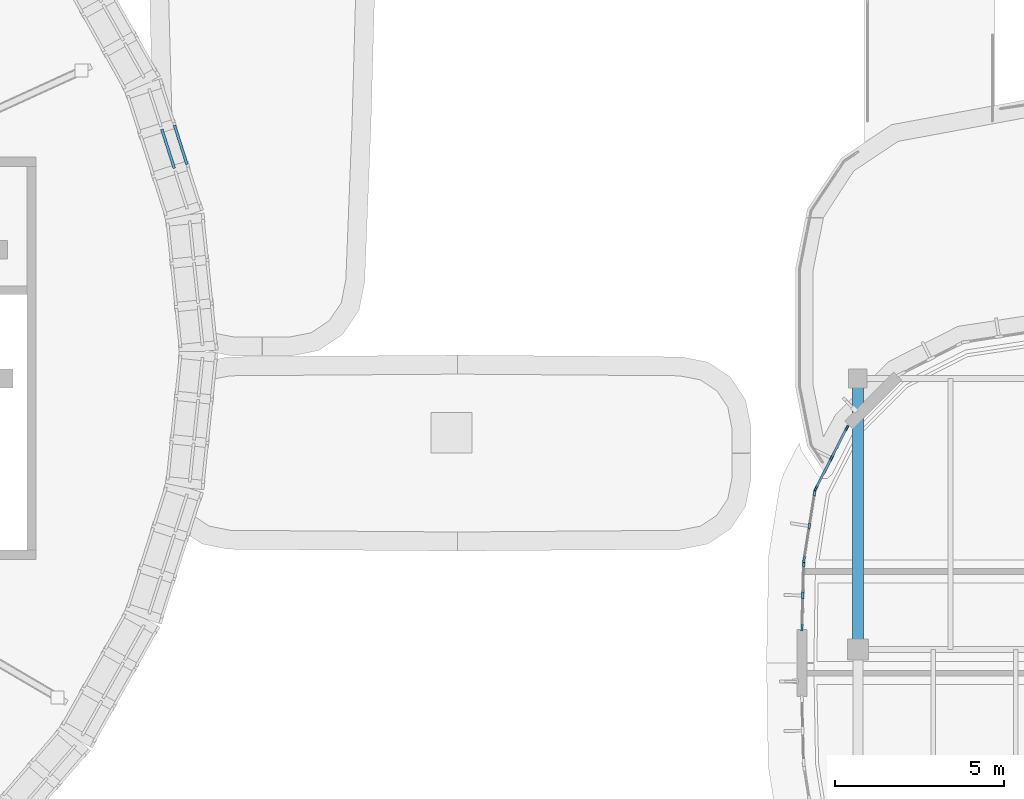
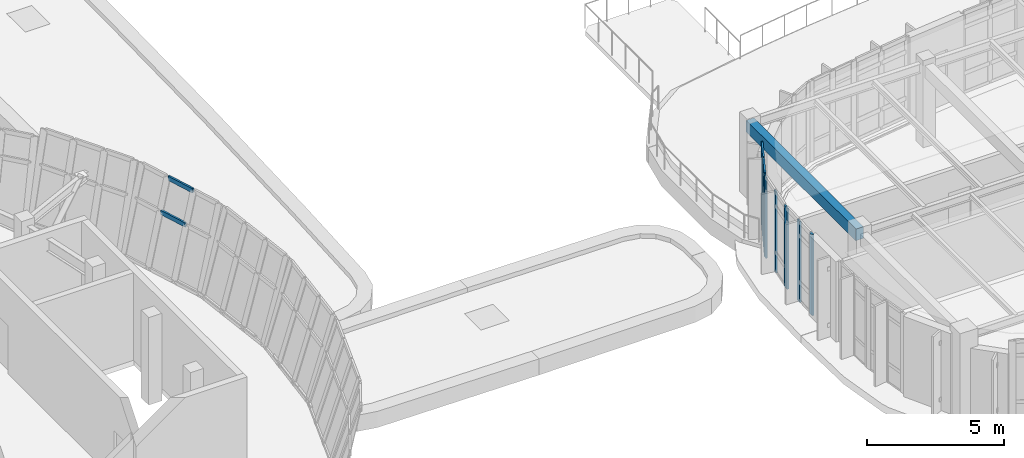
# One storey, part 23 of 111: 19 members, 1 beam, 4 elements without a shape of their own.
"""IFC4 building model written with IfcOpenShell, lengths in metres."""

import ifcopenshell
import ifcopenshell.guid

model = None  # the IFC model being written
_history = None  # IfcOwnerHistory: only IFC2X3 demands one
_inside = {}  # id of a spatial element -> (the spatial element, [elements in it])
_under = {}  # id of a project, library or spatial element -> (it, [spatial elements below it])
_declared = {}  # id of a project -> (the project, [libraries it declares])
_typed = {}  # id of a type object -> (the type object, [elements of that type])
_made_of = {}  # id of a material, layer set ... -> (it, [elements and type objects made of it])


def new_model(schema):
    """Start an empty IFC model of exactly this schema.

    Asked for "IFC4X3", IfcOpenShell would pick the latest addendum, in which some entities
    have other attributes; the version numbers below select the first issue.
    IFC2X3 requires an IfcOwnerHistory on every rooted entity: one is made here for all.
    """
    global model, _history
    if schema == "IFC4X3":
        model = ifcopenshell.file(schema_version=(4, 3, 0, 0))
    else:
        model = ifcopenshell.file(schema=schema)
    _inside.clear()
    _under.clear()
    _declared.clear()
    _typed.clear()
    _made_of.clear()
    _history = None
    if model.schema == "IFC2X3":
        org = make("IfcOrganization", Name="unknown")
        user = make(
            "IfcPersonAndOrganization",
            ThePerson=make("IfcPerson", FamilyName="unknown"),
            TheOrganization=org,
        )
        app = make(
            "IfcApplication",
            ApplicationDeveloper=org,
            Version="unknown",
            ApplicationFullName="unknown",
            ApplicationIdentifier="unknown",
        )
        _history = make(
            "IfcOwnerHistory",
            OwningUser=user,
            OwningApplication=app,
            ChangeAction="ADDED",
            CreationDate=0,
        )
    return model


def make(cls, **values):
    """One entity of the class cls with the attributes given. An attribute that is None is left unset."""
    return model.create_entity(
        cls, **{name: value for name, value in values.items() if value is not None}
    )


def rooted(cls, **values):
    """An entity with a GlobalId (a new one), such as an element, a storey or a relation."""
    return make(cls, GlobalId=ifcopenshell.guid.new(), OwnerHistory=_history, **values)


def si_unit(unit_type, name, prefix=None):
    """IfcSIUnit, for example si_unit("LENGTHUNIT", "METRE", prefix="MILLI")."""
    return make("IfcSIUnit", UnitType=unit_type, Prefix=prefix, Name=name)


def assignment(units):
    """IfcUnitAssignment: the units of a project."""
    return None if units is None else make("IfcUnitAssignment", Units=units)


def point(xyz):
    """IfcCartesianPoint."""
    return None if xyz is None else make("IfcCartesianPoint", Coordinates=xyz)


def direction(xyz):
    """IfcDirection."""
    return None if xyz is None else make("IfcDirection", DirectionRatios=xyz)


def frame(location, z_axis=None, x_axis=None):
    """IfcAxis2Placement3D, a coordinate frame: its origin and axes. An axis left out is left unset."""
    return make(
        "IfcAxis2Placement3D",
        Location=point(location),
        Axis=direction(z_axis),
        RefDirection=direction(x_axis),
    )


def frame_2d(location, x_axis=None):
    """IfcAxis2Placement2D, a coordinate frame in the plane: its origin and x axis."""
    return make(
        "IfcAxis2Placement2D", Location=point(location), RefDirection=direction(x_axis)
    )


def origin():
    """The frame at (0, 0, 0) with its axes left unset."""
    return frame((0.0, 0.0, 0.0))


def origin_2d():
    """The frame at (0, 0) in the plane with its x axis left unset."""
    return frame_2d((0.0, 0.0))


def place(relative_to, where):
    """IfcLocalPlacement: puts the frame where relative to a parent placement (None: the world)."""
    return make(
        "IfcLocalPlacement", PlacementRelTo=relative_to, RelativePlacement=where
    )


def context(
    kind, dimensions, precision=None, world=None, true_north=None, identifier=None
):
    """IfcGeometricRepresentationContext, for example the 3D "Model" context."""
    return make(
        "IfcGeometricRepresentationContext",
        ContextIdentifier=identifier,
        ContextType=kind,
        CoordinateSpaceDimension=dimensions,
        Precision=precision,
        WorldCoordinateSystem=world,
        TrueNorth=true_north,
    )


def subcontext(parent, identifier, kind, view, scale=None):
    """IfcGeometricRepresentationSubContext, for example "Body" below "Model"."""
    return make(
        "IfcGeometricRepresentationSubContext",
        ContextIdentifier=identifier,
        ContextType=kind,
        ParentContext=parent,
        TargetScale=scale,
        TargetView=view,
    )


def project(units=None, contexts=None):
    """IfcProject with its units and contexts."""
    return rooted(
        "IfcProject",
        Name="project",
        RepresentationContexts=contexts,
        UnitsInContext=assignment(units),
    )


def spatial(cls, under=None, at=None, **own):
    """A site, building, storey or space (cls), placed at a placement, below another one or the project."""
    s = rooted(cls, ObjectPlacement=at, **own)
    if under is not None:
        _under.setdefault(under.id(), (under, []))[1].append(s)
    return s


def profile(cls, at=None, kind="AREA", **sizes):
    """A parametric profile (cls). Its sizes go by their IFC names, for example OverallWidth=200.0."""
    return make(cls, ProfileType=kind, Position=at, **sizes)


def rectangle(**sizes):
    """IfcRectangleProfileDef."""
    return profile("IfcRectangleProfileDef", **sizes)


def extrude(swept, where, along, depth):
    """IfcExtrudedAreaSolid: the profile swept, set in the frame where, extruded along a direction by depth."""
    return make(
        "IfcExtrudedAreaSolid",
        SweptArea=swept,
        Position=where,
        ExtrudedDirection=direction(along),
        Depth=depth,
    )


def shape(context_of_items, identifier, shape_type, items):
    """IfcShapeRepresentation: the items that make up one representation, for example the "Body"."""
    return make(
        "IfcShapeRepresentation",
        ContextOfItems=context_of_items,
        RepresentationIdentifier=identifier,
        RepresentationType=shape_type,
        Items=items,
    )


def material(Name=None, Category=None):
    """IfcMaterial."""
    return make("IfcMaterial", Name=Name, Category=Category)


def material_profile(
    of_material, cross_section, Name=None, Category=None, Priority=None
):
    """IfcMaterialProfile: a cross section and its material."""
    return make(
        "IfcMaterialProfile",
        Name=Name,
        Material=of_material,
        Profile=cross_section,
        Priority=Priority,
        Category=Category,
    )


def profile_set(profiles, Name=None, composite=None):
    """IfcMaterialProfileSet."""
    return make(
        "IfcMaterialProfileSet",
        Name=Name,
        MaterialProfiles=profiles,
        CompositeProfile=composite,
    )


def made_of(thing, what):
    """Note that an element or type object is made of a material, layer set ...; save() writes the relation."""
    if what is not None:
        _made_of.setdefault(what.id(), (what, []))[1].append(thing)
    return thing


def type_object(cls, material=None, **own):
    """A type object (cls), such as IfcWallType, which elements share."""
    return made_of(rooted(cls, **own), material)


def element(
    cls,
    number,
    at=None,
    inside=None,
    cuts=None,
    type_object=None,
    material=None,
    context=None,
    identifier="Body",
    shape_type=None,
    held_by="IfcProductDefinitionShape",
    body=None,
    shapes=None,
    **own,
):
    """One element of the class cls, such as IfcWall. Its Tag is "e" and its number.

    at: its placement. inside: the storey or other place that contains it. cuts: it is an
    opening in that element (IfcRelVoidsElement). A single representation is given by context,
    identifier, shape_type and body (its items); several are given by shapes. held_by: the class
    of the entity that holds the representations. save() writes the other relations.
    """
    e = rooted(cls, Tag="e%d" % number, ObjectPlacement=at, **own)
    if body is not None:
        shapes = [shape(context, identifier, shape_type, body)]
    if shapes is not None:
        e.Representation = make(held_by, Representations=shapes)
    if inside is not None:
        _inside.setdefault(inside.id(), (inside, []))[1].append(e)
    if cuts is not None:
        rooted(
            "IfcRelVoidsElement", RelatingBuildingElement=cuts, RelatedOpeningElement=e
        )
    if type_object is not None:
        _typed.setdefault(type_object.id(), (type_object, []))[1].append(e)
    return made_of(e, material)


def aggregate(whole, parts):
    """IfcRelAggregates: a whole, such as a stair, and the parts it consists of."""
    return rooted("IfcRelAggregates", RelatingObject=whole, RelatedObjects=parts)


def save(model, path):
    """Write the relations noted so far, then the file.

    IfcRelAggregates (storeys below a building ...), IfcRelContainedInSpatialStructure (elements
    in a storey), IfcRelDefinesByType, IfcRelAssociatesMaterial and IfcRelDeclares: one each for
    every whole, place, type object, material and project.
    """
    for whole, parts in _under.values():
        aggregate(whole, parts)
    for where, things in _inside.values():
        rooted(
            "IfcRelContainedInSpatialStructure",
            RelatedElements=things,
            RelatingStructure=where,
        )
    for kind, things in _typed.values():
        rooted("IfcRelDefinesByType", RelatedObjects=things, RelatingType=kind)
    for what, things in _made_of.values():
        rooted("IfcRelAssociatesMaterial", RelatedObjects=things, RelatingMaterial=what)
    for by, libraries in _declared.values():
        rooted("IfcRelDeclares", RelatingContext=by, RelatedDefinitions=libraries)
    model.write(path)


model = new_model("IFC4")

# Units and contexts
model_context = context("Model", 3, precision=1e-05, world=origin(), true_north=direction((0.0, 1.0)))
body_context = subcontext(model_context, "Body", "Model", "MODEL_VIEW")
ifc_project = project(units=[si_unit("LENGTHUNIT", "METRE"), si_unit("AREAUNIT", "SQUARE_METRE"), si_unit("VOLUMEUNIT", "CUBIC_METRE"), si_unit("PLANEANGLEUNIT", "RADIAN"), si_unit("MASSUNIT", "GRAM", prefix="KILO")], contexts=[model_context])

# Site, building, storey
site_placement = place(None, origin())
site = spatial("IfcSite", under=ifc_project, at=site_placement, CompositionType="ELEMENT")
building_placement = place(site_placement, origin())
building = spatial("IfcBuilding", under=site, at=building_placement, Name="Corveleigh Park Community Centre", CompositionType="ELEMENT")
storey_placement = place(building_placement, frame((0.0, 0.0, 4.800048828125)))
storey = spatial("IfcBuildingStorey", under=building, at=storey_placement, Name="L01", CompositionType="ELEMENT", Elevation=4.800048828125)

# Beam
ifc_material_1 = material(Name="Concrete C40/50", Category="concrete")
ifc_material_profile_1 = material_profile(ifc_material_1, rectangle(XDim=0.324951171875, YDim=0.52490234375, at=origin_2d()), Name="RC-325x525", Category="concrete")
ifc_profile_set_1 = profile_set([ifc_material_profile_1], Name="Concrete C40/50")
beam_type = type_object("IfcBeamType", Name="BM-RC-325x525", PredefinedType="BEAM", material=ifc_profile_set_1)
beam_placement = place(storey_placement, frame((72.0, 18.804931640625, 3.39453125), z_axis=(0.0, 1.0, 0.0), x_axis=(-1.0, 0.0, 0.0)))
element("IfcBeam", 1, at=beam_placement, inside=storey, type_object=beam_type, Name="V3 Girder Y", PredefinedType="BEAM", context=body_context, shape_type="SweptSolid", body=[
    extrude(rectangle(XDim=0.324951171875, YDim=0.52490234375, at=origin_2d()), origin(), (0.0, 0.0, 1.0), 7.989990234375),
])

# Curtain wall, members
ifc_material_2 = material(Name="Anodised aluminium 6063-T6", Category="aluminium")
curtain_wall_type_1 = type_object("IfcCurtainWallType", Name="CW-SYS-V3-UPP", PredefinedType="NOTDEFINED", material=ifc_material_2)
curtain_wall_1_placement = place(storey_placement, origin())
curtain_wall_1 = element("IfcCurtainWall", 2, at=curtain_wall_1_placement, inside=storey, type_object=curtain_wall_type_1, Name="V3 L01 Curtain Wall 253", PredefinedType="NOTDEFINED")
ifc_material_profile_2 = material_profile(ifc_material_2, rectangle(XDim=0.06005859375, YDim=0.159912109375, at=origin_2d()), Name="ALU-M60x160", Category="aluminium")
ifc_profile_set_2 = profile_set([ifc_material_profile_2], Name="Anodised aluminium 6063-T6")
member_type_1 = type_object("IfcMemberType", Name="CWM-60x160", PredefinedType="MULLION", material=ifc_profile_set_2)
member_1_placement = place(storey_placement, frame((70.763671875, 23.561767578125, 0.0), z_axis=(0.0, 0.0, 1.0), x_axis=(-0.890890679418, 0.454217786228, 0.0)))
member_1 = element("IfcMember", 3, at=member_1_placement, type_object=member_type_1, Name="CW06 mullion 1", PredefinedType="MULLION", context=body_context, shape_type="SweptSolid", body=[
    extrude(rectangle(XDim=0.06005859375, YDim=0.159912109375, at=origin_2d()), origin(), (0.0, 0.0, 1.0), 3.612060546875),
])
member_2_placement = place(storey_placement, frame((71.216064453125, 24.448974609375, 0.0), z_axis=(0.0, 0.0, 1.0), x_axis=(-0.890890679418, 0.454217786228, 0.0)))
member_2 = element("IfcMember", 4, at=member_2_placement, type_object=member_type_1, Name="CW06 mullion 2", PredefinedType="MULLION", context=body_context, shape_type="SweptSolid", body=[
    extrude(rectangle(XDim=0.06005859375, YDim=0.159912109375, at=origin_2d()), origin(), (0.0, 0.0, 1.0), 3.612060546875),
])
member_3_placement = place(storey_placement, frame((71.66845703125, 25.336181640625, 0.0), z_axis=(0.0, 0.0, 1.0), x_axis=(-0.890890679418, 0.454217786228, 0.0)))
member_3 = element("IfcMember", 5, at=member_3_placement, type_object=member_type_1, Name="CW06 mullion 3", PredefinedType="MULLION", context=body_context, shape_type="SweptSolid", body=[
    extrude(rectangle(XDim=0.06005859375, YDim=0.159912109375, at=origin_2d()), origin(), (0.0, 0.0, 1.0), 3.612060546875),
])

curtain_wall_2_placement = place(storey_placement, origin())
curtain_wall_2 = element("IfcCurtainWall", 6, at=curtain_wall_2_placement, inside=storey, type_object=curtain_wall_type_1, Name="V3 L01 Curtain Wall 254", PredefinedType="NOTDEFINED")
ifc_material_profile_3 = material_profile(ifc_material_2, rectangle(XDim=0.06494140625, YDim=0.179931640625, at=origin_2d()), Name="ALU-M65x180", Category="aluminium")
ifc_profile_set_3 = profile_set([ifc_material_profile_3], Name="Anodised aluminium 6063-T6")
member_type_2 = type_object("IfcMemberType", Name="CWM-65x180", PredefinedType="MULLION", material=ifc_profile_set_3)
member_4_placement = place(storey_placement, frame((70.408203125, 21.451171875, 0.0), z_axis=(0.0, 0.0, 1.0), x_axis=(-0.987668756947, 0.156558061275, 0.0)))
member_4 = element("IfcMember", 7, at=member_4_placement, type_object=member_type_2, Name="CW06 mullion 1", PredefinedType="MULLION", context=body_context, shape_type="SweptSolid", body=[
    extrude(rectangle(XDim=0.06494140625, YDim=0.179931640625, at=origin_2d()), origin(), (0.0, 0.0, 1.0), 3.612060546875),
])
member_5_placement = place(storey_placement, frame((70.56494140625, 22.44091796875, 0.0), z_axis=(0.0, 0.0, 1.0), x_axis=(-0.987668756947, 0.156558061275, 0.0)))
member_5 = element("IfcMember", 8, at=member_5_placement, type_object=member_type_2, Name="CW06 mullion 2", PredefinedType="MULLION", context=body_context, shape_type="SweptSolid", body=[
    extrude(rectangle(XDim=0.06494140625, YDim=0.179931640625, at=origin_2d()), origin(), (0.0, 0.0, 1.0), 3.612060546875),
])
member_6_placement = place(storey_placement, frame((70.721923828125, 23.430908203125, 0.0), z_axis=(0.0, 0.0, 1.0), x_axis=(-0.987668756947, 0.156558061275, 0.0)))
member_6 = element("IfcMember", 9, at=member_6_placement, type_object=member_type_2, Name="CW06 mullion 3", PredefinedType="MULLION", context=body_context, shape_type="SweptSolid", body=[
    extrude(rectangle(XDim=0.06494140625, YDim=0.179931640625, at=origin_2d()), origin(), (0.0, 0.0, 1.0), 3.612060546875),
])
aggregate(curtain_wall_2, [member_4, member_5, member_6])

curtain_wall_3_placement = place(storey_placement, origin())
curtain_wall_3 = element("IfcCurtainWall", 10, at=curtain_wall_3_placement, inside=storey, type_object=curtain_wall_type_1, Name="V3 L01 Curtain Wall 255", PredefinedType="NOTDEFINED")
ifc_material_profile_4 = material_profile(ifc_material_2, rectangle(XDim=0.070068359375, YDim=0.199951171875, at=origin_2d()), Name="ALU-M70x200", Category="aluminium")
ifc_profile_set_4 = profile_set([ifc_material_profile_4], Name="Anodised aluminium 6063-T6")
member_type_3 = type_object("IfcMemberType", Name="CWM-70x200", PredefinedType="MULLION", material=ifc_profile_set_4)
member_7_placement = place(storey_placement, frame((70.348876953125, 19.444091796875, 0.0), z_axis=(0.0, 0.0, 1.0), x_axis=(-0.999652514683, 0.026360005464, 0.0)))
member_7 = element("IfcMember", 11, at=member_7_placement, type_object=member_type_3, Name="CW06 mullion 1", PredefinedType="MULLION", context=body_context, shape_type="SweptSolid", body=[
    extrude(rectangle(XDim=0.070068359375, YDim=0.199951171875, at=origin_2d()), origin(), (0.0, 0.0, 1.0), 3.612060546875),
])
member_8_placement = place(storey_placement, frame((70.3740234375, 20.39501953125, 0.0), z_axis=(0.0, 0.0, 1.0), x_axis=(-0.999652514683, 0.026360005464, 0.0)))
member_8 = element("IfcMember", 12, at=member_8_placement, type_object=member_type_3, Name="CW06 mullion 2", PredefinedType="MULLION", context=body_context, shape_type="SweptSolid", body=[
    extrude(rectangle(XDim=0.070068359375, YDim=0.199951171875, at=origin_2d()), origin(), (0.0, 0.0, 1.0), 3.612060546875),
])
member_9_placement = place(storey_placement, frame((70.399169921875, 21.345947265625, 0.0), z_axis=(0.0, 0.0, 1.0), x_axis=(-0.999652514683, 0.026360005464, 0.0)))
member_9 = element("IfcMember", 13, at=member_9_placement, type_object=member_type_3, Name="CW06 mullion 3", PredefinedType="MULLION", context=body_context, shape_type="SweptSolid", body=[
    extrude(rectangle(XDim=0.070068359375, YDim=0.199951171875, at=origin_2d()), origin(), (0.0, 0.0, 1.0), 3.612060546875),
])
aggregate(curtain_wall_3, [member_7, member_8, member_9])

# Member
ifc_material_profile_5 = material_profile(ifc_material_2, rectangle(XDim=0.070068359375, YDim=0.155029296875, at=origin_2d()), Name="ALU-T70x155", Category="aluminium")
ifc_profile_set_5 = profile_set([ifc_material_profile_5], Name="Anodised aluminium 6063-T6")
member_type_4 = type_object("IfcMemberType", Name="CWT-70x155", PredefinedType="USERDEFINED", material=ifc_profile_set_5)
member_10_placement = place(storey_placement, frame((70.77734375, 23.58837890625, 0.034912109375), z_axis=(0.454085966224, 0.890957875142, 0.0), x_axis=(-0.890957875142, 0.454085966224, 0.0)))
member_10 = element("IfcMember", 14, at=member_10_placement, type_object=member_type_4, Name="CW06 transom 1.1", ObjectType="TRANSOM", PredefinedType="USERDEFINED", context=body_context, shape_type="SweptSolid", body=[
    extrude(rectangle(XDim=0.070068359375, YDim=0.155029296875, at=origin_2d()), origin(), (0.0, 0.0, 1.0), 0.93603515625),
])

member_11_placement = place(storey_placement, frame((70.77734375, 23.58837890625, 0.89990234375), z_axis=(0.454085966224, 0.890957875142, 0.0), x_axis=(-0.890957875142, 0.454085966224, 0.0)))
member_11 = element("IfcMember", 15, at=member_11_placement, type_object=member_type_4, Name="CW06 transom 1.2", ObjectType="TRANSOM", PredefinedType="USERDEFINED", context=body_context, shape_type="SweptSolid", body=[
    extrude(rectangle(XDim=0.070068359375, YDim=0.155029296875, at=origin_2d()), origin(), (0.0, 0.0, 1.0), 0.93603515625),
])

member_12_placement = place(storey_placement, frame((70.77734375, 23.58837890625, 2.9619140625), z_axis=(0.454085966224, 0.890957875142, 0.0), x_axis=(-0.890957875142, 0.454085966224, 0.0)))
member_12 = element("IfcMember", 16, at=member_12_placement, type_object=member_type_4, Name="CW06 transom 1.3", ObjectType="TRANSOM", PredefinedType="USERDEFINED", context=body_context, shape_type="SweptSolid", body=[
    extrude(rectangle(XDim=0.070068359375, YDim=0.155029296875, at=origin_2d()), origin(), (0.0, 0.0, 1.0), 0.93603515625),
])

member_13_placement = place(storey_placement, frame((70.77734375, 23.58837890625, 3.576904296875), z_axis=(0.454085966224, 0.890957875142, 0.0), x_axis=(-0.890957875142, 0.454085966224, 0.0)))
member_13 = element("IfcMember", 17, at=member_13_placement, type_object=member_type_4, Name="CW06 transom 1.4", ObjectType="TRANSOM", PredefinedType="USERDEFINED", context=body_context, shape_type="SweptSolid", body=[
    extrude(rectangle(XDim=0.070068359375, YDim=0.155029296875, at=origin_2d()), origin(), (0.0, 0.0, 1.0), 0.93603515625),
])

member_14_placement = place(storey_placement, frame((71.229736328125, 24.475830078125, 0.034912109375), z_axis=(0.45419150751, 0.890904077051, 0.0), x_axis=(-0.890904077051, 0.45419150751, 0.0)))
member_14 = element("IfcMember", 18, at=member_14_placement, type_object=member_type_4, Name="CW06 transom 2.1", ObjectType="TRANSOM", PredefinedType="USERDEFINED", context=body_context, shape_type="SweptSolid", body=[
    extrude(rectangle(XDim=0.070068359375, YDim=0.155029296875, at=origin_2d()), origin(), (0.0, 0.0, 1.0), 0.935791015625),
])

member_15_placement = place(storey_placement, frame((71.229736328125, 24.475830078125, 0.89990234375), z_axis=(0.45419150751, 0.890904077051, 0.0), x_axis=(-0.890904077051, 0.45419150751, 0.0)))
member_15 = element("IfcMember", 19, at=member_15_placement, type_object=member_type_4, Name="CW06 transom 2.2", ObjectType="TRANSOM", PredefinedType="USERDEFINED", context=body_context, shape_type="SweptSolid", body=[
    extrude(rectangle(XDim=0.070068359375, YDim=0.155029296875, at=origin_2d()), origin(), (0.0, 0.0, 1.0), 0.935791015625),
])

member_16_placement = place(storey_placement, frame((71.229736328125, 24.475830078125, 2.9619140625), z_axis=(0.45419150751, 0.890904077051, 0.0), x_axis=(-0.890904077051, 0.45419150751, 0.0)))
member_16 = element("IfcMember", 20, at=member_16_placement, type_object=member_type_4, Name="CW06 transom 2.3", ObjectType="TRANSOM", PredefinedType="USERDEFINED", context=body_context, shape_type="SweptSolid", body=[
    extrude(rectangle(XDim=0.070068359375, YDim=0.155029296875, at=origin_2d()), origin(), (0.0, 0.0, 1.0), 0.935791015625),
])

member_17_placement = place(storey_placement, frame((71.229736328125, 24.475830078125, 3.576904296875), z_axis=(0.45419150751, 0.890904077051, 0.0), x_axis=(-0.890904077051, 0.45419150751, 0.0)))
member_17 = element("IfcMember", 21, at=member_17_placement, type_object=member_type_4, Name="CW06 transom 2.4", ObjectType="TRANSOM", PredefinedType="USERDEFINED", context=body_context, shape_type="SweptSolid", body=[
    extrude(rectangle(XDim=0.070068359375, YDim=0.155029296875, at=origin_2d()), origin(), (0.0, 0.0, 1.0), 0.935791015625),
])

aggregate(curtain_wall_1, [member_1, member_2, member_3, member_10, member_11, member_12, member_13, member_14, member_15, member_16, member_17])

# Curtain wall, members
curtain_wall_type_2 = type_object("IfcCurtainWallType", Name="CW-SYS-V1-DRUM", PredefinedType="NOTDEFINED", material=ifc_material_2)
curtain_wall_4_placement = place(storey_placement, origin())
curtain_wall_4 = element("IfcCurtainWall", 22, at=curtain_wall_4_placement, inside=storey, type_object=curtain_wall_type_2, Name="Main Hall Flared Drum CW 163", PredefinedType="NOTDEFINED")
ifc_material_profile_6 = material_profile(ifc_material_2, rectangle(XDim=0.080078125, YDim=0.195068359375, at=origin_2d()), Name="ALU-T80x195", Category="aluminium")
ifc_profile_set_6 = profile_set([ifc_material_profile_6], Name="Anodised aluminium 6063-T6")
member_type_5 = type_object("IfcMemberType", Name="CWT-80x195", PredefinedType="USERDEFINED", material=ifc_profile_set_6)
member_18_placement = place(storey_placement, frame((51.817138671875, 33.00439453125, 2.25), z_axis=(-0.303486826379, 0.952835634417, 0.0), x_axis=(-0.952835634417, -0.303486826379, 0.0)))
member_18 = element("IfcMember", 23, at=member_18_placement, type_object=member_type_5, Name="CW02 transom 2.2", ObjectType="TRANSOM", PredefinedType="USERDEFINED", context=body_context, shape_type="SweptSolid", body=[
    extrude(rectangle(XDim=0.080078125, YDim=0.195068359375, at=origin_2d()), origin(), (0.0, 0.0, 1.0), 1.2099609375),
])
member_19_placement = place(storey_placement, frame((52.1904296875, 33.123291015625, 3.572021484375), z_axis=(-0.303486826379, 0.952835634417, 0.0), x_axis=(-0.952835634417, -0.303486826379, 0.0)))
member_19 = element("IfcMember", 24, at=member_19_placement, type_object=member_type_5, Name="CW02 transom 2.3", ObjectType="TRANSOM", PredefinedType="USERDEFINED", context=body_context, shape_type="SweptSolid", body=[
    extrude(rectangle(XDim=0.080078125, YDim=0.195068359375, at=origin_2d()), origin(), (0.0, 0.0, 1.0), 1.2099609375),
])
aggregate(curtain_wall_4, [member_18, member_19])

save(model, "model.ifc")
